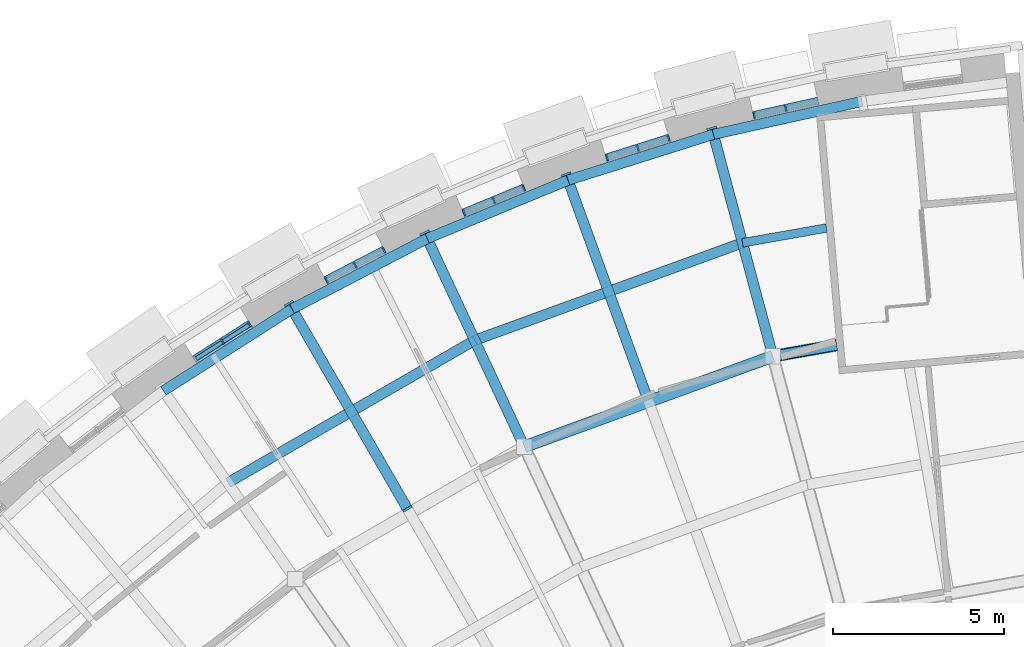
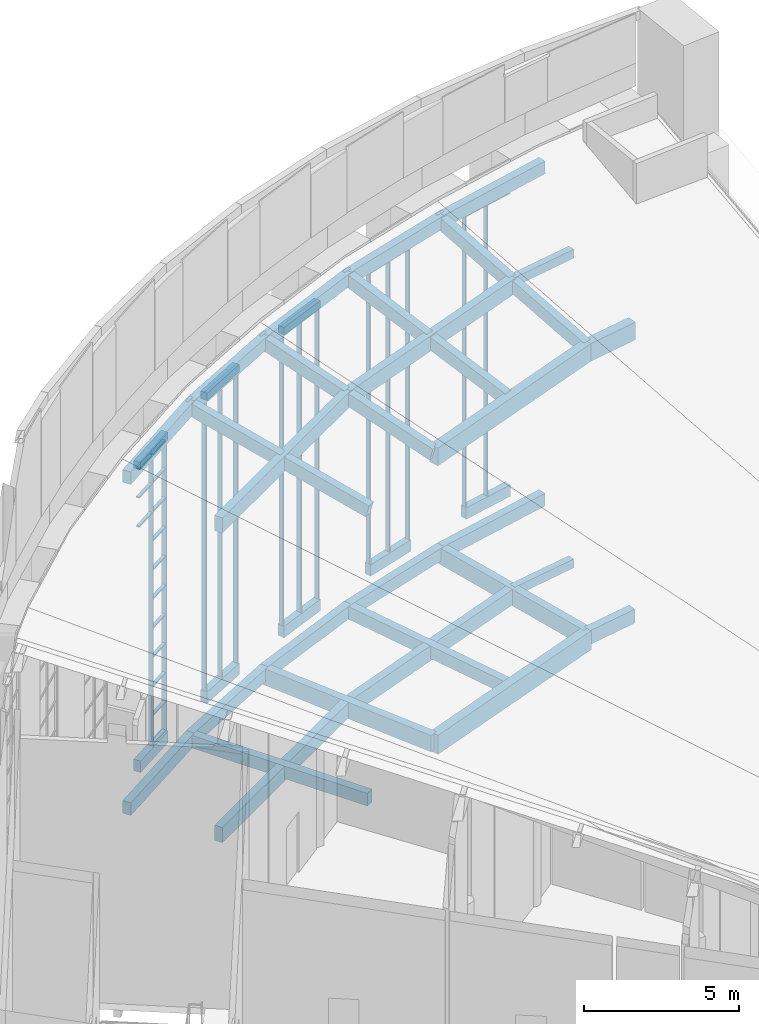
# One storey, part 25 of 82: 38 beams, 27 members, 5 elements without a shape of their own.
"""IFC4 building model written with IfcOpenShell, lengths in metres."""

from ifc_helpers import new_model, si_unit, direction, frame, origin, origin_2d, place, context, subcontext, project, spatial, rectangle, extrude, material, layer, layer_set, material_profile, profile_set, type_object, element, aggregate, save


model = new_model("IFC4")

# Units and contexts
model_context = context("Model", 3, precision=1e-05, world=origin(), true_north=direction((0.0, 1.0)))
body_context = subcontext(model_context, "Body", "Model", "MODEL_VIEW")
ifc_project = project(units=[si_unit("LENGTHUNIT", "METRE"), si_unit("AREAUNIT", "SQUARE_METRE"), si_unit("VOLUMEUNIT", "CUBIC_METRE"), si_unit("PLANEANGLEUNIT", "RADIAN"), si_unit("MASSUNIT", "GRAM", prefix="KILO")], contexts=[model_context])

# Site, building, storey
site_placement = place(None, origin())
site = spatial("IfcSite", under=ifc_project, at=site_placement, CompositionType="ELEMENT")
building_placement = place(site_placement, origin())
building = spatial("IfcBuilding", under=site, at=building_placement, Name="Volute Hill Aquarium", CompositionType="ELEMENT")
storey_placement = place(building_placement, frame((0.0, 0.0, 13.800048828125)))
storey = spatial("IfcBuildingStorey", under=building, at=storey_placement, Name="L04", CompositionType="ELEMENT", Elevation=13.800048828125)

# Beams
ifc_material_1 = material(Name="Concrete C35/45", Category="concrete")
ifc_material_profile_1 = material_profile(ifc_material_1, rectangle(XDim=0.300048828125, YDim=0.550048828125, at=origin_2d()), Name="RC beam 300x550")
ifc_profile_set_1 = profile_set([ifc_material_profile_1], Name="Concrete C35/45")
beam_type_1 = type_object("IfcBeamType", Name="Beam 300x550 C35/45", PredefinedType="BEAM", material=ifc_profile_set_1)
beam_1_placement = place(storey_placement, frame((-9.59033203125, 43.070556640625, -0.594970703125), z_axis=(-0.984808243338, -0.173645396866, 0.0), x_axis=(0.173645396866, -0.984808243338, 0.0)))
element("IfcBeam", 1, at=beam_1_placement, inside=storey, type_object=beam_type_1, Name="bm/S6/L04/ring3.27", PredefinedType="BEAM", context=body_context, shape_type="SweptSolid", body=[
    extrude(rectangle(XDim=0.300048828125, YDim=0.550048828125, at=origin_2d()), origin(), (0.0, 0.0, 1.0), 1.89111328125),
])
ifc_material_2 = material(Name="Concrete C35/45", Category="concrete")
ifc_material_profile_2 = material_profile(ifc_material_2, rectangle(XDim=0.300048828125, YDim=0.64990234375, at=origin_2d()), Name="RC beam 300x650")
ifc_profile_set_2 = profile_set([ifc_material_profile_2], Name="Concrete C35/45")
beam_type_2 = type_object("IfcBeamType", Name="Beam 300x650 C35/45", PredefinedType="BEAM", material=ifc_profile_set_2)
beam_2_placement = place(storey_placement, frame((-11.45263671875, 42.7421875, -0.64501953125), z_axis=(-0.258820408031, 0.965925461092, 0.0), x_axis=(-0.965925461092, -0.258820408031, 0.0)))
element("IfcBeam", 2, at=beam_2_placement, inside=storey, type_object=beam_type_2, Name="bm/S6/L04/rad1.4", PredefinedType="BEAM", context=body_context, shape_type="SweptSolid", body=[
    extrude(rectangle(XDim=0.300048828125, YDim=0.64990234375, at=origin_2d()), origin(), (0.0, 0.0, 1.0), 6.85009765625),
])
beam_3_placement = place(storey_placement, frame((-18.700927734375, 40.10400390625, -0.64501953125), z_axis=(-0.422596672801, 0.906317853812, 0.0), x_axis=(-0.906317853812, -0.422596672801, 0.0)))
element("IfcBeam", 3, at=beam_3_placement, inside=storey, type_object=beam_type_2, Name="bm/S6/L04/rad2.8", PredefinedType="BEAM", context=body_context, shape_type="SweptSolid", body=[
    extrude(rectangle(XDim=0.300048828125, YDim=0.64990234375, at=origin_2d()), origin(), (0.0, 0.0, 1.0), 6.849853515625),
])
ifc_material_3 = material(Name="Concrete C35/45", Category="concrete")
ifc_material_profile_3 = material_profile(ifc_material_3, rectangle(XDim=0.35009765625, YDim=0.699951171875, at=origin_2d()), Name="RC beam 350x700")
ifc_profile_set_3 = profile_set([ifc_material_profile_3], Name="Concrete C35/45")
beam_type_3 = type_object("IfcBeamType", Name="Beam 350x700 C35/45", PredefinedType="BEAM", material=ifc_profile_set_3)
beam_4_placement = place(storey_placement, frame((-9.59033203125, 43.070556640625, 10.6689453125), z_axis=(-0.984808243338, -0.173645396866, 0.0), x_axis=(0.173645396866, -0.984808243338, 0.0)))
element("IfcBeam", 4, at=beam_4_placement, inside=storey, type_object=beam_type_3, Name="rb/S6/L04/ring3.27", PredefinedType="BEAM", context=body_context, shape_type="SweptSolid", body=[
    extrude(rectangle(XDim=0.35009765625, YDim=0.699951171875, at=origin_2d()), origin(), (0.0, 0.0, 1.0), 1.89111328125),
])
beam_5_placement = place(storey_placement, frame((-11.45263671875, 42.7421875, 10.6689453125), z_axis=(-0.939691728504, -0.34202259484, 0.0), x_axis=(0.34202259484, -0.939691728504, 0.0)))
element("IfcBeam", 5, at=beam_5_placement, inside=storey, type_object=beam_type_3, Name="rb/S6/L04/ring3.28", PredefinedType="BEAM", context=body_context, shape_type="SweptSolid", body=[
    extrude(rectangle(XDim=0.35009765625, YDim=0.699951171875, at=origin_2d()), origin(), (0.0, 0.0, 1.0), 7.71337890625),
])
ifc_material_4 = material(Name="Concrete C35/45", Category="concrete")
ifc_material_profile_4 = material_profile(ifc_material_4, rectangle(XDim=0.35009765625, YDim=0.75, at=origin_2d()), Name="RC beam 350x750")
ifc_profile_set_4 = profile_set([ifc_material_profile_4], Name="Concrete C35/45")
beam_type_4 = type_object("IfcBeamType", Name="Beam 350x750 C35/45", PredefinedType="BEAM", material=ifc_profile_set_4)
beam_6_placement = place(storey_placement, frame((-11.45263671875, 42.7421875, -0.695068359375), z_axis=(-0.939691728504, -0.34202259484, 0.0), x_axis=(0.34202259484, -0.939691728504, 0.0)))
element("IfcBeam", 6, at=beam_6_placement, inside=storey, type_object=beam_type_4, Name="bm/S6/L04/ring3.28", PredefinedType="BEAM", context=body_context, shape_type="SweptSolid", body=[
    extrude(rectangle(XDim=0.35009765625, YDim=0.75, at=origin_2d()), origin(), (0.0, 0.0, 1.0), 7.71337890625),
])

# Curtain wall, members
ifc_material_5 = material(Name="Aluminium", Category="aluminium")
ifc_layer = layer(ifc_material_5, 0.25)
ifc_layer_set = layer_set([ifc_layer], Name="Curtain wall niche S6 module 967")
curtain_wall_type = type_object("IfcCurtainWallType", Name="Curtain wall niche S6 module 967", PredefinedType="NOTDEFINED", material=ifc_layer_set)
curtain_wall_1_placement = place(storey_placement, origin())
curtain_wall_1 = element("IfcCurtainWall", 7, at=curtain_wall_1_placement, inside=storey, type_object=curtain_wall_type, Name="Curtain wall CW S6 L04 2", PredefinedType="NOTDEFINED")
ifc_material_6 = material(Name="Aluminium", Category="aluminium")
ifc_material_profile_5 = material_profile(ifc_material_6, rectangle(XDim=0.169921875, YDim=0.050048828125, at=origin_2d()), Name="Curtain wall mullion S6 50x170")
ifc_profile_set_5 = profile_set([ifc_material_profile_5], Name="Aluminium")
member_type_1 = type_object("IfcMemberType", Name="Curtain wall mullion S6 50x170", PredefinedType="MULLION", material=ifc_profile_set_5)
member_1_placement = place(storey_placement, frame((-11.07666015625, 49.962890625, 0.449951171875), z_axis=(0.0, 0.0, 1.0), x_axis=(0.216429433084, -0.976298264105, 0.0)))
member_1 = element("IfcMember", 8, at=member_1_placement, type_object=member_type_1, Name="CW mullion 2", PredefinedType="MULLION", context=body_context, shape_type="SweptSolid", body=[
    extrude(rectangle(XDim=0.169921875, YDim=0.050048828125, at=origin_2d()), origin(), (0.0, 0.0, 1.0), 11.491455078125),
])
member_2_placement = place(storey_placement, frame((-11.99609375, 49.759033203125, 0.449951171875), z_axis=(0.0, 0.0, 1.0), x_axis=(0.216429433084, -0.976298264105, 0.0)))
member_2 = element("IfcMember", 9, at=member_2_placement, type_object=member_type_1, Name="CW mullion 3", PredefinedType="MULLION", context=body_context, shape_type="SweptSolid", body=[
    extrude(rectangle(XDim=0.169921875, YDim=0.050048828125, at=origin_2d()), origin(), (0.0, 0.0, 1.0), 11.491455078125),
])
aggregate(curtain_wall_1, [member_1, member_2])

curtain_wall_2_placement = place(storey_placement, origin())
curtain_wall_2 = element("IfcCurtainWall", 10, at=curtain_wall_2_placement, inside=storey, type_object=curtain_wall_type, Name="Curtain wall CW S6 L04 3", PredefinedType="NOTDEFINED")
member_3_placement = place(storey_placement, frame((-14.49072265625, 49.090576171875, 0.449951171875), z_axis=(0.0, 0.0, 1.0), x_axis=(0.300706406582, -0.953716759337, 0.0)))
member_3 = element("IfcMember", 11, at=member_3_placement, type_object=member_type_1, Name="CW mullion 1", PredefinedType="MULLION", context=body_context, shape_type="SweptSolid", body=[
    extrude(rectangle(XDim=0.169921875, YDim=0.050048828125, at=origin_2d()), origin(), (0.0, 0.0, 1.0), 11.491455078125),
])
member_4_placement = place(storey_placement, frame((-15.388916015625, 48.807373046875, 0.449951171875), z_axis=(0.0, 0.0, 1.0), x_axis=(0.300706406582, -0.953716759337, 0.0)))
member_4 = element("IfcMember", 12, at=member_4_placement, type_object=member_type_1, Name="CW mullion 2", PredefinedType="MULLION", context=body_context, shape_type="SweptSolid", body=[
    extrude(rectangle(XDim=0.169921875, YDim=0.050048828125, at=origin_2d()), origin(), (0.0, 0.0, 1.0), 11.491455078125),
])
member_5_placement = place(storey_placement, frame((-16.287109375, 48.524169921875, 0.449951171875), z_axis=(0.0, 0.0, 1.0), x_axis=(0.300706406582, -0.953716759337, 0.0)))
member_5 = element("IfcMember", 13, at=member_5_placement, type_object=member_type_1, Name="CW mullion 3", PredefinedType="MULLION", context=body_context, shape_type="SweptSolid", body=[
    extrude(rectangle(XDim=0.169921875, YDim=0.050048828125, at=origin_2d()), origin(), (0.0, 0.0, 1.0), 11.491455078125),
])
aggregate(curtain_wall_2, [member_3, member_4, member_5])

curtain_wall_3_placement = place(storey_placement, origin())
curtain_wall_3 = element("IfcCurtainWall", 14, at=curtain_wall_3_placement, inside=storey, type_object=curtain_wall_type, Name="Curtain wall CW S6 L04 4", PredefinedType="NOTDEFINED")
member_6_placement = place(storey_placement, frame((-18.7138671875, 47.640869140625, 0.449951171875), z_axis=(0.0, 0.0, 1.0), x_axis=(0.382679860378, -0.923881012069, 0.0)))
member_6 = element("IfcMember", 15, at=member_6_placement, type_object=member_type_1, Name="CW mullion 1", PredefinedType="MULLION", context=body_context, shape_type="SweptSolid", body=[
    extrude(rectangle(XDim=0.169921875, YDim=0.050048828125, at=origin_2d()), origin(), (0.0, 0.0, 1.0), 11.491455078125),
])
member_7_placement = place(storey_placement, frame((-19.584228515625, 47.280517578125, 0.449951171875), z_axis=(0.0, 0.0, 1.0), x_axis=(0.382679860378, -0.923881012069, 0.0)))
member_7 = element("IfcMember", 16, at=member_7_placement, type_object=member_type_1, Name="CW mullion 2", PredefinedType="MULLION", context=body_context, shape_type="SweptSolid", body=[
    extrude(rectangle(XDim=0.169921875, YDim=0.050048828125, at=origin_2d()), origin(), (0.0, 0.0, 1.0), 11.491455078125),
])
member_8_placement = place(storey_placement, frame((-20.454345703125, 46.919921875, 0.449951171875), z_axis=(0.0, 0.0, 1.0), x_axis=(0.382679860378, -0.923881012069, 0.0)))
member_8 = element("IfcMember", 17, at=member_8_placement, type_object=member_type_1, Name="CW mullion 3", PredefinedType="MULLION", context=body_context, shape_type="SweptSolid", body=[
    extrude(rectangle(XDim=0.169921875, YDim=0.050048828125, at=origin_2d()), origin(), (0.0, 0.0, 1.0), 11.491455078125),
])
aggregate(curtain_wall_3, [member_6, member_7, member_8])

curtain_wall_4_placement = place(storey_placement, origin())
curtain_wall_4 = element("IfcCurtainWall", 18, at=curtain_wall_4_placement, inside=storey, type_object=curtain_wall_type, Name="Curtain wall CW S6 L04 5", PredefinedType="NOTDEFINED")
member_9_placement = place(storey_placement, frame((-22.794921875, 45.82861328125, 0.449951171875), z_axis=(0.0, 0.0, 1.0), x_axis=(0.461759580356, -0.88700512397, 0.0)))
member_9 = element("IfcMember", 19, at=member_9_placement, type_object=member_type_1, Name="CW mullion 1", PredefinedType="MULLION", context=body_context, shape_type="SweptSolid", body=[
    extrude(rectangle(XDim=0.169921875, YDim=0.050048828125, at=origin_2d()), origin(), (0.0, 0.0, 1.0), 11.491455078125),
])
member_10_placement = place(storey_placement, frame((-23.63037109375, 45.3935546875, 0.449951171875), z_axis=(0.0, 0.0, 1.0), x_axis=(0.461759580356, -0.88700512397, 0.0)))
member_10 = element("IfcMember", 20, at=member_10_placement, type_object=member_type_1, Name="CW mullion 2", PredefinedType="MULLION", context=body_context, shape_type="SweptSolid", body=[
    extrude(rectangle(XDim=0.169921875, YDim=0.050048828125, at=origin_2d()), origin(), (0.0, 0.0, 1.0), 11.491455078125),
])
member_11_placement = place(storey_placement, frame((-24.4658203125, 44.958740234375, 0.449951171875), z_axis=(0.0, 0.0, 1.0), x_axis=(0.461759580356, -0.88700512397, 0.0)))
member_11 = element("IfcMember", 21, at=member_11_placement, type_object=member_type_1, Name="CW mullion 3", PredefinedType="MULLION", context=body_context, shape_type="SweptSolid", body=[
    extrude(rectangle(XDim=0.169921875, YDim=0.050048828125, at=origin_2d()), origin(), (0.0, 0.0, 1.0), 11.491455078125),
])
aggregate(curtain_wall_4, [member_9, member_10, member_11])

curtain_wall_5_placement = place(storey_placement, origin())
curtain_wall_5 = element("IfcCurtainWall", 22, at=curtain_wall_5_placement, inside=storey, type_object=curtain_wall_type, Name="Curtain wall CW S6 L04 6", PredefinedType="NOTDEFINED")
member_12_placement = place(storey_placement, frame((-26.702392578125, 43.66748046875, 0.449951171875), z_axis=(0.0, 0.0, 1.0), x_axis=(0.537294689973, -0.843394579142, 0.0)))
member_12 = element("IfcMember", 23, at=member_12_placement, type_object=member_type_1, Name="CW mullion 1", PredefinedType="MULLION", context=body_context, shape_type="SweptSolid", body=[
    extrude(rectangle(XDim=0.169921875, YDim=0.050048828125, at=origin_2d()), origin(), (0.0, 0.0, 1.0), 11.491455078125),
])
member_13_placement = place(storey_placement, frame((-27.496826171875, 43.161376953125, 0.449951171875), z_axis=(0.0, 0.0, 1.0), x_axis=(0.537294689973, -0.843394579142, 0.0)))
member_13 = element("IfcMember", 24, at=member_13_placement, type_object=member_type_1, Name="CW mullion 2", PredefinedType="MULLION", context=body_context, shape_type="SweptSolid", body=[
    extrude(rectangle(XDim=0.169921875, YDim=0.050048828125, at=origin_2d()), origin(), (0.0, 0.0, 1.0), 11.491455078125),
])
ifc_material_7 = material(Name="Aluminium", Category="aluminium")
ifc_material_profile_6 = material_profile(ifc_material_7, rectangle(XDim=0.1201171875, YDim=0.050048828125, at=origin_2d()), Name="Curtain wall transom S6 50x120")
ifc_profile_set_6 = profile_set([ifc_material_profile_6], Name="Aluminium")
member_type_2 = type_object("IfcMemberType", Name="Curtain wall transom S6 50x120", PredefinedType="USERDEFINED", material=ifc_profile_set_6)
member_14_placement = place(storey_placement, frame((-26.7236328125, 43.654052734375, 0.474853515625), z_axis=(-0.843368307782, -0.537335926055, 0.0), x_axis=(0.537335926055, -0.843368307782, 0.0)))
member_14 = element("IfcMember", 25, at=member_14_placement, type_object=member_type_2, Name="CW transom 1.1", ObjectType="TRANSOM", PredefinedType="USERDEFINED", context=body_context, shape_type="SweptSolid", body=[
    extrude(rectangle(XDim=0.1201171875, YDim=0.050048828125, at=origin_2d()), origin(), (0.0, 0.0, 1.0), 0.891845703125),
])
member_15_placement = place(storey_placement, frame((-26.7236328125, 43.654052734375, 1.59912109375), z_axis=(-0.843368307782, -0.537335926055, 0.0), x_axis=(0.537335926055, -0.843368307782, 0.0)))
member_15 = element("IfcMember", 26, at=member_15_placement, type_object=member_type_2, Name="CW transom 1.2", ObjectType="TRANSOM", PredefinedType="USERDEFINED", context=body_context, shape_type="SweptSolid", body=[
    extrude(rectangle(XDim=0.1201171875, YDim=0.050048828125, at=origin_2d()), origin(), (0.0, 0.0, 1.0), 0.891845703125),
])
member_16_placement = place(storey_placement, frame((-26.7236328125, 43.654052734375, 2.748291015625), z_axis=(-0.843368307782, -0.537335926055, 0.0), x_axis=(0.537335926055, -0.843368307782, 0.0)))
member_16 = element("IfcMember", 27, at=member_16_placement, type_object=member_type_2, Name="CW transom 1.3", ObjectType="TRANSOM", PredefinedType="USERDEFINED", context=body_context, shape_type="SweptSolid", body=[
    extrude(rectangle(XDim=0.1201171875, YDim=0.050048828125, at=origin_2d()), origin(), (0.0, 0.0, 1.0), 0.891845703125),
])
member_17_placement = place(storey_placement, frame((-26.7236328125, 43.654052734375, 3.8974609375), z_axis=(-0.843368307782, -0.537335926055, 0.0), x_axis=(0.537335926055, -0.843368307782, 0.0)))
member_17 = element("IfcMember", 28, at=member_17_placement, type_object=member_type_2, Name="CW transom 1.4", ObjectType="TRANSOM", PredefinedType="USERDEFINED", context=body_context, shape_type="SweptSolid", body=[
    extrude(rectangle(XDim=0.1201171875, YDim=0.050048828125, at=origin_2d()), origin(), (0.0, 0.0, 1.0), 0.891845703125),
])
member_18_placement = place(storey_placement, frame((-26.7236328125, 43.654052734375, 5.046630859375), z_axis=(-0.843368307782, -0.537335926055, 0.0), x_axis=(0.537335926055, -0.843368307782, 0.0)))
member_18 = element("IfcMember", 29, at=member_18_placement, type_object=member_type_2, Name="CW transom 1.5", ObjectType="TRANSOM", PredefinedType="USERDEFINED", context=body_context, shape_type="SweptSolid", body=[
    extrude(rectangle(XDim=0.1201171875, YDim=0.050048828125, at=origin_2d()), origin(), (0.0, 0.0, 1.0), 0.891845703125),
])
member_19_placement = place(storey_placement, frame((-26.7236328125, 43.654052734375, 6.195556640625), z_axis=(-0.843368307782, -0.537335926055, 0.0), x_axis=(0.537335926055, -0.843368307782, 0.0)))
member_19 = element("IfcMember", 30, at=member_19_placement, type_object=member_type_2, Name="CW transom 1.6", ObjectType="TRANSOM", PredefinedType="USERDEFINED", context=body_context, shape_type="SweptSolid", body=[
    extrude(rectangle(XDim=0.1201171875, YDim=0.050048828125, at=origin_2d()), origin(), (0.0, 0.0, 1.0), 0.891845703125),
])
member_20_placement = place(storey_placement, frame((-26.7236328125, 43.654052734375, 7.3447265625), z_axis=(-0.843368307782, -0.537335926055, 0.0), x_axis=(0.537335926055, -0.843368307782, 0.0)))
member_20 = element("IfcMember", 31, at=member_20_placement, type_object=member_type_2, Name="CW transom 1.7", ObjectType="TRANSOM", PredefinedType="USERDEFINED", context=body_context, shape_type="SweptSolid", body=[
    extrude(rectangle(XDim=0.1201171875, YDim=0.050048828125, at=origin_2d()), origin(), (0.0, 0.0, 1.0), 0.891845703125),
])
member_21_placement = place(storey_placement, frame((-26.7236328125, 43.654052734375, 8.493896484375), z_axis=(-0.843368307782, -0.537335926055, 0.0), x_axis=(0.537335926055, -0.843368307782, 0.0)))
member_21 = element("IfcMember", 32, at=member_21_placement, type_object=member_type_2, Name="CW transom 1.8", ObjectType="TRANSOM", PredefinedType="USERDEFINED", context=body_context, shape_type="SweptSolid", body=[
    extrude(rectangle(XDim=0.1201171875, YDim=0.050048828125, at=origin_2d()), origin(), (0.0, 0.0, 1.0), 0.891845703125),
])
member_22_placement = place(storey_placement, frame((-26.7236328125, 43.654052734375, 9.64306640625), z_axis=(-0.843368307782, -0.537335926055, 0.0), x_axis=(0.537335926055, -0.843368307782, 0.0)))
member_22 = element("IfcMember", 33, at=member_22_placement, type_object=member_type_2, Name="CW transom 1.9", ObjectType="TRANSOM", PredefinedType="USERDEFINED", context=body_context, shape_type="SweptSolid", body=[
    extrude(rectangle(XDim=0.1201171875, YDim=0.050048828125, at=origin_2d()), origin(), (0.0, 0.0, 1.0), 0.891845703125),
])
member_23_placement = place(storey_placement, frame((-26.7236328125, 43.654052734375, 10.792236328125), z_axis=(-0.843368307782, -0.537335926055, 0.0), x_axis=(0.537335926055, -0.843368307782, 0.0)))
member_23 = element("IfcMember", 34, at=member_23_placement, type_object=member_type_2, Name="CW transom 1.10", ObjectType="TRANSOM", PredefinedType="USERDEFINED", context=body_context, shape_type="SweptSolid", body=[
    extrude(rectangle(XDim=0.1201171875, YDim=0.050048828125, at=origin_2d()), origin(), (0.0, 0.0, 1.0), 0.891845703125),
])
member_24_placement = place(storey_placement, frame((-26.7236328125, 43.654052734375, 11.916259765625), z_axis=(-0.843368307782, -0.537335926055, 0.0), x_axis=(0.537335926055, -0.843368307782, 0.0)))
member_24 = element("IfcMember", 35, at=member_24_placement, type_object=member_type_2, Name="CW transom 1.11", ObjectType="TRANSOM", PredefinedType="USERDEFINED", context=body_context, shape_type="SweptSolid", body=[
    extrude(rectangle(XDim=0.1201171875, YDim=0.050048828125, at=origin_2d()), origin(), (0.0, 0.0, 1.0), 0.891845703125),
])
member_25_placement = place(storey_placement, frame((-27.517822265625, 43.14794921875, 9.64306640625), z_axis=(-0.843368307782, -0.537335926055, 0.0), x_axis=(0.537335926055, -0.843368307782, 0.0)))
member_25 = element("IfcMember", 36, at=member_25_placement, type_object=member_type_2, Name="CW transom 2.9", ObjectType="TRANSOM", PredefinedType="USERDEFINED", context=body_context, shape_type="SweptSolid", body=[
    extrude(rectangle(XDim=0.1201171875, YDim=0.050048828125, at=origin_2d()), origin(), (0.0, 0.0, 1.0), 0.891845703125),
])
member_26_placement = place(storey_placement, frame((-27.517822265625, 43.14794921875, 10.792236328125), z_axis=(-0.843368307782, -0.537335926055, 0.0), x_axis=(0.537335926055, -0.843368307782, 0.0)))
member_26 = element("IfcMember", 37, at=member_26_placement, type_object=member_type_2, Name="CW transom 2.10", ObjectType="TRANSOM", PredefinedType="USERDEFINED", context=body_context, shape_type="SweptSolid", body=[
    extrude(rectangle(XDim=0.1201171875, YDim=0.050048828125, at=origin_2d()), origin(), (0.0, 0.0, 1.0), 0.891845703125),
])
member_27_placement = place(storey_placement, frame((-27.517822265625, 43.14794921875, 11.916259765625), z_axis=(-0.843368307782, -0.537335926055, 0.0), x_axis=(0.537335926055, -0.843368307782, 0.0)))
member_27 = element("IfcMember", 38, at=member_27_placement, type_object=member_type_2, Name="CW transom 2.11", ObjectType="TRANSOM", PredefinedType="USERDEFINED", context=body_context, shape_type="SweptSolid", body=[
    extrude(rectangle(XDim=0.1201171875, YDim=0.050048828125, at=origin_2d()), origin(), (0.0, 0.0, 1.0), 0.891845703125),
])
aggregate(curtain_wall_5, [member_12, member_13, member_14, member_15, member_16, member_17, member_18, member_19, member_20, member_21, member_22, member_23, member_24, member_25, member_26, member_27])

# Beams
ifc_material_8 = material(Name="Concrete C35/45", Category="concrete")
ifc_material_profile_7 = material_profile(ifc_material_8, rectangle(XDim=0.300048828125, YDim=0.5, at=origin_2d()), Name="RC edge beam 300x500")
ifc_profile_set_7 = profile_set([ifc_material_profile_7], Name="Concrete C35/45")
beam_type_5 = type_object("IfcBeamType", Name="Edge beam 300x500 C35/45", PredefinedType="BEAM", material=ifc_profile_set_7)
beam_7_placement = place(storey_placement, frame((-8.847412109375, 50.17578125, -0.570068359375), z_axis=(-0.976300660498, -0.21641862284, 0.0), x_axis=(0.21641862284, -0.976300660498, 0.0)))
element("IfcBeam", 39, at=beam_7_placement, inside=storey, type_object=beam_type_5, Name="bm/S6/L04/edgeO.43", PredefinedType="BEAM", context=body_context, shape_type="SweptSolid", body=[
    extrude(rectangle(XDim=0.300048828125, YDim=0.5, at=origin_2d()), origin(), (0.0, 0.0, 1.0), 4.444580078125),
])
for number, where, z_axis, x_axis, name in (
    (40, (-13.186767578125, 49.2138671875, -0.570068359375), (-0.953709591964, -0.300729137591, 0.0), (0.300729137591, -0.953709591964, 0.0), "bm/S6/L04/edgeO.44"),
    (41, (-17.42578125, 47.877197265625, -0.570068359375), (-0.923880933045, -0.382680051161, 0.0), (0.382680051161, -0.923880933045, 0.0), "bm/S6/L04/edgeO.45"),
    (42, (-21.5322265625, 46.17626953125, -0.570068359375), (-0.887002673566, -0.461764287366, 0.0), (0.461764287366, -0.887002673566, 0.0), "bm/S6/L04/edgeO.46"),
    (43, (-25.474853515625, 44.123779296875, -0.570068359375), (-0.843396768651, -0.537291253073, 0.0), (0.537291253073, -0.843396768651, 0.0), "bm/S6/L04/edgeO.47"),
):
    element("IfcBeam", number, at=place(storey_placement, frame(where, z_axis=z_axis, x_axis=x_axis)), inside=storey, type_object=beam_type_5, Name=name, PredefinedType="BEAM", context=body_context, shape_type="SweptSolid", body=[
        extrude(rectangle(XDim=0.300048828125, YDim=0.5, at=origin_2d()), origin(), (0.0, 0.0, 1.0), 4.44482421875),
    ])
for number, where, z_axis, x_axis, name in (
    (44, (-8.847412109375, 50.17578125, 12.541259765625), (-0.976239373289, -0.216405037176, -0.011204727813), (0.21641862284, -0.976300660498, 0.0), "rb/S6/L04/edgeO.43"),
    (45, (-13.186767578125, 49.2138671875, 12.491455078125), (-0.953649724844, -0.30071025995, 0.011204546672), (0.300729137591, -0.953709591964, 0.0), "rb/S6/L04/edgeO.44"),
    (46, (-17.42578125, 47.877197265625, 12.541259765625), (-0.923822938723, -0.382656029375, -0.011204511266), (0.382680051161, -0.923880933045, 0.0), "rb/S6/L04/edgeO.45"),
    (47, (-21.5322265625, 46.17626953125, 12.491455078125), (-0.886946996933, -0.461735302695, 0.011204234775), (0.461764287366, -0.887002673566, 0.0), "rb/S6/L04/edgeO.46"),
    (48, (-25.474853515625, 44.123779296875, 12.541259765625), (-0.843343828448, -0.537257527182, -0.011204307457), (0.537291253073, -0.843396768651, 0.0), "rb/S6/L04/edgeO.47"),
):
    element("IfcBeam", number, at=place(storey_placement, frame(where, z_axis=z_axis, x_axis=x_axis)), inside=storey, type_object=beam_type_5, Name=name, PredefinedType="BEAM", context=body_context, shape_type="SweptSolid", body=[
        extrude(rectangle(XDim=0.300048828125, YDim=0.5, at=origin_2d()), origin(), (0.0, 0.0, 1.0), 4.445068359375),
    ])
ifc_material_9 = material(Name="Concrete C35/45", Category="concrete")
ifc_material_profile_8 = material_profile(ifc_material_9, rectangle(XDim=0.25, YDim=0.35009765625, at=origin_2d()), Name="RC joist 250x350")
ifc_profile_set_8 = profile_set([ifc_material_profile_8], Name="Concrete C35/45")
beam_type_6 = type_object("IfcBeamType", Name="Joist 250x350 C35/45", PredefinedType="BEAM", material=ifc_profile_set_8)
for number, where, z_axis, x_axis, name in (
    (49, (-9.888916015625, 46.482666015625, -0.4951171875), (-0.984801335043, -0.173684571844, 0.0), (0.173684571844, -0.984801335043, 0.0), "bm/S6/L04/jst16"),
    (50, (-9.888916015625, 46.482666015625, 11.724365234375), (-0.984801335043, -0.173684571844, 0.0), (0.173684571844, -0.984801335043, 0.0), "rb/S6/L04/jst16"),
):
    element("IfcBeam", number, at=place(storey_placement, frame(where, z_axis=z_axis, x_axis=x_axis)), inside=storey, type_object=beam_type_6, Name=name, PredefinedType="BEAM", context=body_context, shape_type="SweptSolid", body=[
        extrude(rectangle(XDim=0.25, YDim=0.35009765625, at=origin_2d()), origin(), (0.0, 0.0, 1.0), 2.488037109375),
    ])
ifc_material_10 = material(Name="Concrete C35/45", Category="concrete")
ifc_material_profile_9 = material_profile(ifc_material_10, rectangle(XDim=0.300048828125, YDim=0.5, at=origin_2d()), Name="RC joist 300x500")
ifc_profile_set_9 = profile_set([ifc_material_profile_9], Name="Concrete C35/45")
beam_type_7 = type_object("IfcBeamType", Name="Joist 300x500 C35/45", PredefinedType="BEAM", material=ifc_profile_set_9)
for number, where, z_axis, x_axis, name in (
    (51, (-15.134521484375, 41.581298828125, -0.570068359375), (-0.342006321172, 0.939697651523, 0.0), (-0.939697651523, -0.342006321172, 0.0), "bm/S6/L04/rjst7"),
    (52, (-22.125, 38.321533203125, -0.570068359375), (-0.499999086063, 0.866025931445, 0.0), (-0.866025931445, -0.499999086063, 0.0), "bm/S6/L04/rjst8"),
):
    element("IfcBeam", number, at=place(storey_placement, frame(where, z_axis=z_axis, x_axis=x_axis)), inside=storey, type_object=beam_type_7, Name=name, PredefinedType="BEAM", context=body_context, shape_type="SweptSolid", body=[
        extrude(rectangle(XDim=0.300048828125, YDim=0.5, at=origin_2d()), origin(), (0.0, 0.0, 1.0), 6.85009765625),
    ])
for number, where, z_axis, x_axis, name in (
    (53, (-15.134521484375, 41.581298828125, 10.80419921875), (-0.331156291736, 0.909886076271, 0.249885651152), (-0.939697651523, -0.342006321172, 0.0), "rb/S6/L04/rjst7"),
    (54, (-22.125, 38.321533203125, 10.80419921875), (-0.48413688945, 0.838551734033, 0.24988489675), (-0.866025931445, -0.499999086063, 0.0), "rb/S6/L04/rjst8"),
):
    element("IfcBeam", number, at=place(storey_placement, frame(where, z_axis=z_axis, x_axis=x_axis)), inside=storey, type_object=beam_type_7, Name=name, PredefinedType="BEAM", context=body_context, shape_type="SweptSolid", body=[
        extrude(rectangle(XDim=0.300048828125, YDim=0.5, at=origin_2d()), origin(), (0.0, 0.0, 1.0), 7.074462890625),
    ])
ifc_material_11 = material(Name="Concrete C35/45", Category="concrete")
ifc_material_profile_10 = material_profile(ifc_material_11, rectangle(XDim=0.300048828125, YDim=0.60009765625, at=origin_2d()), Name="RC joist 300x600")
ifc_profile_set_10 = profile_set([ifc_material_profile_10], Name="Concrete C35/45")
beam_type_8 = type_object("IfcBeamType", Name="Joist 300x600 C35/45", PredefinedType="BEAM", material=ifc_profile_set_10)
beam_8_placement = place(storey_placement, frame((-12.339111328125, 46.050537109375, -0.6201171875), z_axis=(-0.939692166751, -0.342021390774, 0.0), x_axis=(0.342021390774, -0.939692166751, 0.0)))
element("IfcBeam", 55, at=beam_8_placement, inside=storey, type_object=beam_type_8, Name="bm/S6/L04/jst17", PredefinedType="BEAM", context=body_context, shape_type="SweptSolid", body=[
    extrude(rectangle(XDim=0.300048828125, YDim=0.60009765625, at=origin_2d()), origin(), (0.0, 0.0, 1.0), 8.310302734375),
])
beam_9_placement = place(storey_placement, frame((-20.148193359375, 43.208251953125, -0.6201171875), z_axis=(-0.866021696715, -0.500006420777, 0.0), x_axis=(0.500006420777, -0.866021696715, 0.0)))
element("IfcBeam", 56, at=beam_9_placement, inside=storey, type_object=beam_type_8, Name="bm/S6/L04/jst18", PredefinedType="BEAM", context=body_context, shape_type="SweptSolid", body=[
    extrude(rectangle(XDim=0.300048828125, YDim=0.60009765625, at=origin_2d()), origin(), (0.0, 0.0, 1.0), 8.310546875),
])
beam_10_placement = place(storey_placement, frame((-12.339111328125, 46.050537109375, 11.599365234375), z_axis=(-0.939692166751, -0.342021390774, 0.0), x_axis=(0.342021390774, -0.939692166751, 0.0)))
element("IfcBeam", 57, at=beam_10_placement, inside=storey, type_object=beam_type_8, Name="rb/S6/L04/jst17", PredefinedType="BEAM", context=body_context, shape_type="SweptSolid", body=[
    extrude(rectangle(XDim=0.300048828125, YDim=0.60009765625, at=origin_2d()), origin(), (0.0, 0.0, 1.0), 8.310302734375),
])
beam_11_placement = place(storey_placement, frame((-20.148193359375, 43.208251953125, 11.599365234375), z_axis=(-0.866021696715, -0.500006420777, 0.0), x_axis=(0.500006420777, -0.866021696715, 0.0)))
element("IfcBeam", 58, at=beam_11_placement, inside=storey, type_object=beam_type_8, Name="rb/S6/L04/jst18", PredefinedType="BEAM", context=body_context, shape_type="SweptSolid", body=[
    extrude(rectangle(XDim=0.300048828125, YDim=0.60009765625, at=origin_2d()), origin(), (0.0, 0.0, 1.0), 8.310546875),
])
ifc_material_12 = material(Name="Concrete C35/45", Category="concrete")
ifc_material_profile_11 = material_profile(ifc_material_12, rectangle(XDim=0.25, YDim=0.300048828125, at=origin_2d()), Name="RC beam 250x300")
ifc_profile_set_11 = profile_set([ifc_material_profile_11], Name="Concrete C35/45")
beam_type_9 = type_object("IfcBeamType", Name="Niche head beam RC 250x300 C35/45", PredefinedType="BEAM", material=ifc_profile_set_11)
for number, where, z_axis, x_axis, name in (
    (59, (-10.132568359375, 50.172119140625, 12.09130859375), (-0.97630573903, -0.216395711457, 0.0), (0.216395711457, -0.97630573903, 0.0), "Niche head beam OWB S6 L04 2"),
    (60, (-14.466796875, 49.09814453125, 12.09130859375), (-0.953708515851, -0.300732550272, 0.0), (0.300732550272, -0.953708515851, 0.0), "Niche head beam OWB S6 L04 3"),
    (61, (-18.69091796875, 47.650390625, 12.09130859375), (-0.923889122179, -0.382660280039, 0.0), (0.382660280039, -0.923889122179, 0.0), "Niche head beam OWB S6 L04 4"),
    (62, (-22.772705078125, 45.840087890625, 12.09130859375), (-0.887036898241, -0.461698539264, 0.0), (0.461698539264, -0.887036898241, 0.0), "Niche head beam OWB S6 L04 5"),
    (63, (-26.681396484375, 43.680908203125, 12.09130859375), (-0.843370239062, -0.537332894828, 0.0), (0.537332894828, -0.843370239062, 0.0), "Niche head beam OWB S6 L04 6"),
):
    element("IfcBeam", number, at=place(storey_placement, frame(where, z_axis=z_axis, x_axis=x_axis)), inside=storey, type_object=beam_type_9, Name=name, PredefinedType="BEAM", context=body_context, shape_type="SweptSolid", body=[
        extrude(rectangle(XDim=0.25, YDim=0.300048828125, at=origin_2d()), origin(), (0.0, 0.0, 1.0), 1.933837890625),
    ])
ifc_material_13 = material(Name="Concrete C35/45", Category="concrete")
ifc_material_profile_12 = material_profile(ifc_material_13, rectangle(XDim=0.25, YDim=0.449951171875, at=origin_2d()), Name="RC beam 250x450")
ifc_profile_set_12 = profile_set([ifc_material_profile_12], Name="Concrete C35/45")
beam_type_10 = type_object("IfcBeamType", Name="Niche sill beam RC 250x450 C35/45", PredefinedType="BEAM", material=ifc_profile_set_12)
for number, where, z_axis, x_axis, name in (
    (64, (-10.132568359375, 50.172119140625, 0.224853515625), (-0.97630573903, -0.216395711457, 0.0), (0.216395711457, -0.97630573903, 0.0), "Niche sill beam OWB S6 L04 2"),
    (65, (-14.466796875, 49.09814453125, 0.224853515625), (-0.953708515851, -0.300732550272, 0.0), (0.300732550272, -0.953708515851, 0.0), "Niche sill beam OWB S6 L04 3"),
    (66, (-18.69091796875, 47.650390625, 0.224853515625), (-0.923889122179, -0.382660280039, 0.0), (0.382660280039, -0.923889122179, 0.0), "Niche sill beam OWB S6 L04 4"),
    (67, (-22.772705078125, 45.840087890625, 0.224853515625), (-0.887036898241, -0.461698539264, 0.0), (0.461698539264, -0.887036898241, 0.0), "Niche sill beam OWB S6 L04 5"),
    (68, (-26.681396484375, 43.680908203125, 0.224853515625), (-0.843370239062, -0.537332894828, 0.0), (0.537332894828, -0.843370239062, 0.0), "Niche sill beam OWB S6 L04 6"),
):
    element("IfcBeam", number, at=place(storey_placement, frame(where, z_axis=z_axis, x_axis=x_axis)), inside=storey, type_object=beam_type_10, Name=name, PredefinedType="BEAM", context=body_context, shape_type="SweptSolid", body=[
        extrude(rectangle(XDim=0.25, YDim=0.449951171875, at=origin_2d()), origin(), (0.0, 0.0, 1.0), 1.933837890625),
    ])
ifc_material_14 = material(Name="Concrete C35/45", Category="concrete")
ifc_material_profile_13 = material_profile(ifc_material_14, rectangle(XDim=0.300048828125, YDim=0.5, at=origin_2d()), Name="RC rib 300x500")
ifc_profile_set_13 = profile_set([ifc_material_profile_13], Name="Concrete C35/45")
beam_type_11 = type_object("IfcBeamType", Name="Roof rib 300x500 C35/45", PredefinedType="BEAM", material=ifc_profile_set_13)
beam_12_placement = place(storey_placement, frame((-11.45263671875, 42.7421875, 10.7607421875), z_axis=(-0.250667742352, 0.935499470288, 0.249010891398), x_axis=(-0.965925461092, -0.258820408031, 0.0)))
element("IfcBeam", 69, at=beam_12_placement, inside=storey, type_object=beam_type_11, Name="rb/S6/L04/rib1.4", PredefinedType="BEAM", context=body_context, shape_type="SweptSolid", body=[
    extrude(rectangle(XDim=0.300048828125, YDim=0.5, at=origin_2d()), origin(), (0.0, 0.0, 1.0), 7.072998046875),
])
beam_13_placement = place(storey_placement, frame((-18.700927734375, 40.10400390625, 10.7607421875), z_axis=(-0.409284642096, 0.87776833633, 0.249015721353), x_axis=(-0.906317853812, -0.422596672801, 0.0)))
element("IfcBeam", 70, at=beam_13_placement, inside=storey, type_object=beam_type_11, Name="rb/S6/L04/rib2.8", PredefinedType="BEAM", context=body_context, shape_type="SweptSolid", body=[
    extrude(rectangle(XDim=0.300048828125, YDim=0.5, at=origin_2d()), origin(), (0.0, 0.0, 1.0), 7.07275390625),
])

save(model, "model.ifc")
